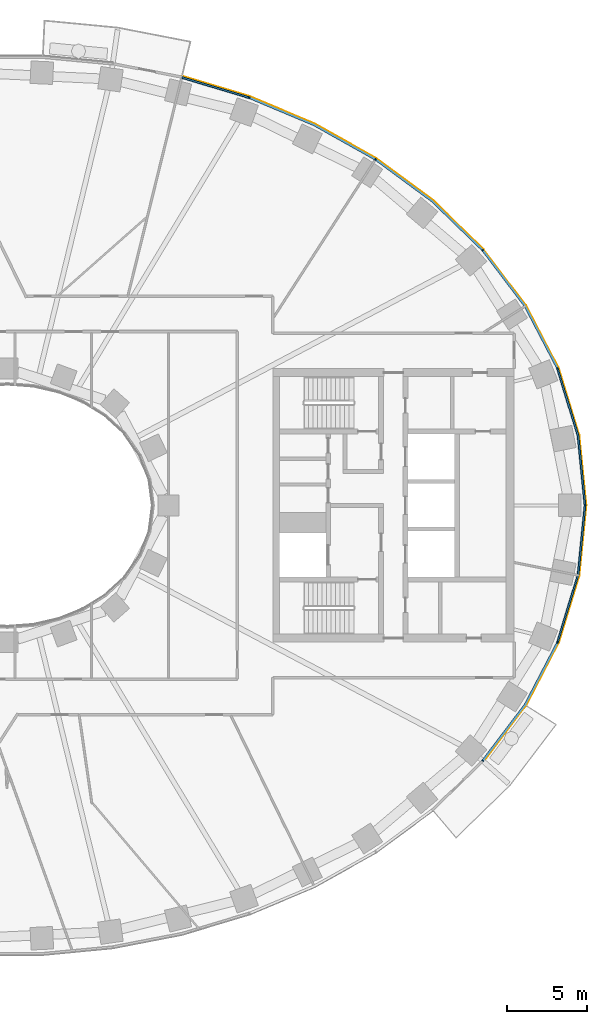
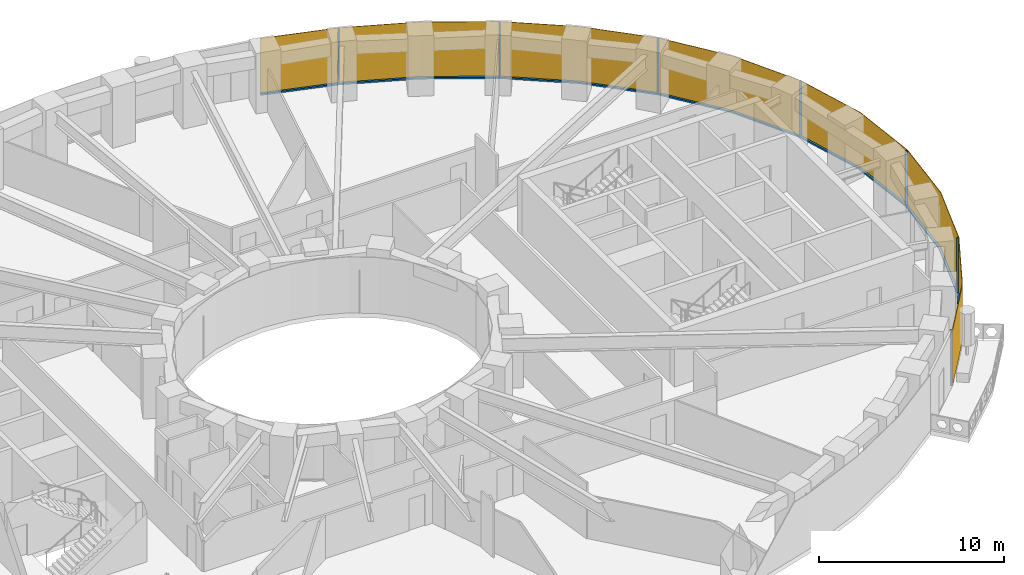
# One storey, part 13 of 16: 14 members, 1 curtain wall.
"""IFC4 building model written with IfcOpenShell, lengths in metres."""

from ifc_helpers import new_model, si_unit, direction, frame, origin, origin_2d, place, context, subcontext, project, spatial, polyline, rectangle, outline, extrude, material, layer, layer_set, material_profile, profile_set, type_object, element, aggregate, save


model = new_model("IFC4")

# Units and contexts
model_context = context("Model", 3, precision=1e-05, world=origin(), true_north=direction((0.0, 1.0)))
body_context = subcontext(model_context, "Body", "Model", "MODEL_VIEW")
ifc_project = project(units=[si_unit("LENGTHUNIT", "METRE"), si_unit("AREAUNIT", "SQUARE_METRE"), si_unit("VOLUMEUNIT", "CUBIC_METRE"), si_unit("PLANEANGLEUNIT", "RADIAN"), si_unit("MASSUNIT", "GRAM", prefix="KILO")], contexts=[model_context])

# Member
ifc_material_1 = material(Name="Aluminium 6063-T6 black anodised", Category="aluminium")
ifc_material_profile = material_profile(ifc_material_1, rectangle(XDim=0.1201171875, YDim=0.06005859375, at=origin_2d()), Name="120x60")
ifc_profile_set = profile_set([ifc_material_profile], Name="Aluminium 6063-T6 black anodised")
member_type_1 = type_object("IfcMemberType", Name="ENV-MULLION-A-120", PredefinedType="MULLION", material=ifc_profile_set)
site_placement = place(None, origin())
building_placement = place(site_placement, origin())
storey_placement = place(building_placement, frame((0.0, 0.0, 58.5)))
member_1_placement = place(storey_placement, frame((29.53857421875, -15.8671875, 0.0), z_axis=(0.0, 0.0, 1.0), x_axis=(-0.749047221705, 0.662516610853, 0.0)))
member_1 = element("IfcMember", 1, at=member_1_placement, type_object=member_type_1, Name="Mullion A radial 43", PredefinedType="MULLION", context=body_context, shape_type="SweptSolid", body=[
    extrude(rectangle(XDim=0.1201171875, YDim=0.06005859375, at=origin_2d()), origin(), (0.0, 0.0, 1.0), 3.699951171875),
])

member_2_placement = place(storey_placement, frame((34.19580078125, -8.513916015625, 0.0), z_axis=(0.0, 0.0, 1.0), x_axis=(-0.92546738067, 0.378827305398, 0.0)))
member_2 = element("IfcMember", 2, at=member_2_placement, type_object=member_type_1, Name="Mullion A radial 45", PredefinedType="MULLION", context=body_context, shape_type="SweptSolid", body=[
    extrude(rectangle(XDim=0.1201171875, YDim=0.06005859375, at=origin_2d()), origin(), (0.0, 0.0, 1.0), 3.699951171875),
])

member_3_placement = place(storey_placement, frame((35.907958984375, 0.0, 0.0), z_axis=(0.0, 0.0, 1.0), x_axis=(-1.0, 0.0, 0.0)))
member_3 = element("IfcMember", 3, at=member_3_placement, type_object=member_type_1, Name="Mullion A radial 01", PredefinedType="MULLION", context=body_context, shape_type="SweptSolid", body=[
    extrude(rectangle(XDim=0.1201171875, YDim=0.06005859375, at=origin_2d()), origin(), (0.0, 0.0, 1.0), 3.699951171875),
])

member_4_placement = place(storey_placement, frame((34.19580078125, 8.513916015625, 0.0), z_axis=(0.0, 0.0, 1.0), x_axis=(-0.92546738067, -0.378827305398, 0.0)))
member_4 = element("IfcMember", 4, at=member_4_placement, type_object=member_type_1, Name="Mullion A radial 03", PredefinedType="MULLION", context=body_context, shape_type="SweptSolid", body=[
    extrude(rectangle(XDim=0.1201171875, YDim=0.06005859375, at=origin_2d()), origin(), (0.0, 0.0, 1.0), 3.699951171875),
])

member_5_placement = place(storey_placement, frame((29.53857421875, 15.8671875, 0.0), z_axis=(0.0, 0.0, 1.0), x_axis=(-0.749047221705, -0.662516610853, 0.0)))
member_5 = element("IfcMember", 5, at=member_5_placement, type_object=member_type_1, Name="Mullion A radial 05", PredefinedType="MULLION", context=body_context, shape_type="SweptSolid", body=[
    extrude(rectangle(XDim=0.1201171875, YDim=0.06005859375, at=origin_2d()), origin(), (0.0, 0.0, 1.0), 3.699951171875),
])

member_6_placement = place(storey_placement, frame((22.882568359375, 21.506591796875, 0.0), z_axis=(0.0, 0.0, 1.0), x_axis=(-0.542279153225, -0.840198381323, 0.0)))
member_6 = element("IfcMember", 6, at=member_6_placement, type_object=member_type_1, Name="Mullion A radial 07", PredefinedType="MULLION", context=body_context, shape_type="SweptSolid", body=[
    extrude(rectangle(XDim=0.1201171875, YDim=0.06005859375, at=origin_2d()), origin(), (0.0, 0.0, 1.0), 3.699951171875),
])

member_7_placement = place(storey_placement, frame((15.0341796875, 25.34375, 0.0), z_axis=(0.0, 0.0, 1.0), x_axis=(-0.338379256581, -0.941009818608, 0.0)))
member_7 = element("IfcMember", 7, at=member_7_placement, type_object=member_type_1, Name="Mullion A radial 09", PredefinedType="MULLION", context=body_context, shape_type="SweptSolid", body=[
    extrude(rectangle(XDim=0.1201171875, YDim=0.06005859375, at=origin_2d()), origin(), (0.0, 0.0, 1.0), 3.699951171875),
])

ifc_material_2 = material(Name="Aluminium 6063-T6 black anodised", Category="aluminium")
member_type_2 = type_object("IfcMemberType", Name="ENV-TRANSOM-A", PredefinedType="USERDEFINED", material=ifc_material_2)
member_8_placement = place(storey_placement, origin())
member_8 = element("IfcMember", 8, at=member_8_placement, type_object=member_type_2, Name="Transom A radial 43-45", ObjectType="TRANSOM", PredefinedType="USERDEFINED", context=body_context, shape_type="SweptSolid", body=[
    extrude(outline(polyline([(29.6005859375, -15.884521484375), (32.22802734375, -12.41748046875), (34.23828125, -8.5615234375), (34.126708984375, -8.515869140625), (32.126220703125, -12.35302734375), (29.51025390625, -15.8046875), (29.6005859375, -15.884521484375)])), origin(), (0.0, 0.0, 1.0), 0.10009765625),
])

member_9_placement = place(storey_placement, origin())
member_9 = element("IfcMember", 9, at=member_9_placement, type_object=member_type_2, Name="Transom A radial 45-01", ObjectType="TRANSOM", PredefinedType="USERDEFINED", context=body_context, shape_type="SweptSolid", body=[
    extrude(outline(polyline([(34.259521484375, -8.509765625), (35.529541015625, -4.352294921875), (35.965087890625, -0.02783203125), (35.844482421875, -0.02783203125), (35.411376953125, -4.32861328125), (34.14794921875, -8.464111328125), (34.259521484375, -8.509765625)])), origin(), (0.0, 0.0, 1.0), 0.10009765625),
])

member_10_placement = place(storey_placement, origin())
member_10 = element("IfcMember", 10, at=member_10_placement, type_object=member_type_2, Name="Transom A radial 01-03", ObjectType="TRANSOM", PredefinedType="USERDEFINED", context=body_context, shape_type="SweptSolid", body=[
    extrude(outline(polyline([(35.965087890625, 0.02783203125), (35.529541015625, 4.352294921875), (34.259521484375, 8.509765625), (34.14794921875, 8.464111328125), (35.411376953125, 4.32861328125), (35.844482421875, 0.02783203125), (35.965087890625, 0.02783203125)])), origin(), (0.0, 0.0, 1.0), 0.10009765625),
])

member_11_placement = place(storey_placement, origin())
member_11 = element("IfcMember", 11, at=member_11_placement, type_object=member_type_2, Name="Transom A radial 03-05", ObjectType="TRANSOM", PredefinedType="USERDEFINED", context=body_context, shape_type="SweptSolid", body=[
    extrude(outline(polyline([(34.23828125, 8.5615234375), (32.22802734375, 12.41748046875), (29.6005859375, 15.884521484375), (29.51025390625, 15.8046875), (32.126220703125, 12.35302734375), (34.126708984375, 8.515869140625), (34.23828125, 8.5615234375)])), origin(), (0.0, 0.0, 1.0), 0.10009765625),
])

member_12_placement = place(storey_placement, origin())
member_12 = element("IfcMember", 12, at=member_12_placement, type_object=member_type_2, Name="Transom A radial 05-07", ObjectType="TRANSOM", PredefinedType="USERDEFINED", context=body_context, shape_type="SweptSolid", body=[
    extrude(outline(polyline([(29.5634765625, 15.926513671875), (26.4423828125, 18.958740234375), (22.937744140625, 21.540283203125), (22.87255859375, 21.439208984375), (26.364501953125, 18.866943359375), (29.473388671875, 15.8466796875), (29.5634765625, 15.926513671875)])), origin(), (0.0, 0.0, 1.0), 0.10009765625),
])

member_13_placement = place(storey_placement, origin())
member_13 = element("IfcMember", 13, at=member_13_placement, type_object=member_type_2, Name="Transom A radial 07-09", ObjectType="TRANSOM", PredefinedType="USERDEFINED", context=body_context, shape_type="SweptSolid", body=[
    extrude(outline(polyline([(22.890625, 21.570556640625), (19.093994140625, 23.701416015625), (15.080322265625, 25.389404296875), (15.03955078125, 25.276123046875), (19.041259765625, 23.593505859375), (22.825439453125, 21.469482421875), (22.890625, 21.570556640625)])), origin(), (0.0, 0.0, 1.0), 0.10009765625),
])

member_14_placement = place(storey_placement, origin())
member_14 = element("IfcMember", 14, at=member_14_placement, type_object=member_type_2, Name="Transom A radial 09-10", ObjectType="TRANSOM", PredefinedType="USERDEFINED", context=body_context, shape_type="SweptSolid", body=[
    extrude(outline(polyline([(15.027587890625, 25.408203125), (10.876708984375, 26.657470703125), (10.847900390625, 26.540771484375), (14.987060546875, 25.295166015625), (15.027587890625, 25.408203125)])), origin(), (0.0, 0.0, 1.0), 0.10009765625),
])

# Site, building, storey
site = spatial("IfcSite", under=ifc_project, at=site_placement, CompositionType="ELEMENT")
building = spatial("IfcBuilding", under=site, at=building_placement, Name="Noorbagh Ring Tower", CompositionType="ELEMENT")
storey = spatial("IfcBuildingStorey", under=building, at=storey_placement, Name="L12", CompositionType="ELEMENT", Elevation=58.5)

# Curtain wall
ifc_material_3 = material(Name="Glass dark tinted laminated", Category="glass")
ifc_layer = layer(ifc_material_3, 0.031982421875)
ifc_layer_set = layer_set([ifc_layer], Name="Glass dark tinted laminated")
curtain_wall_type = type_object("IfcCurtainWallType", Name="ENV-CW-A", PredefinedType="NOTDEFINED", material=ifc_layer_set)
curtain_wall_placement = place(storey_placement, origin())
curtain_wall = element("IfcCurtainWall", 15, at=curtain_wall_placement, inside=storey, type_object=curtain_wall_type, Name="Curtain wall A R43", PredefinedType="NOTDEFINED", context=body_context, shape_type="SweptSolid", body=[
    extrude(outline(polyline([(29.61962890625, -15.912109375), (32.255126953125, -12.434814453125), (34.281005859375, -8.548828125), (35.561279296875, -4.358642578125), (36.0, 0.0), (35.561279296875, 4.358642578125), (34.281005859375, 8.548828125), (32.255126953125, 12.434814453125), (29.607666015625, 15.927978515625), (26.463134765625, 18.9833984375), (22.9326171875, 21.583740234375), (19.108154296875, 23.730224609375), (15.065185546875, 25.430419921875), (10.884521484375, 26.6884765625), (10.876708984375, 26.657470703125), (15.054443359375, 25.400146484375), (19.093994140625, 23.701416015625), (22.9150390625, 21.556884765625), (26.4423828125, 18.958740234375), (29.58349609375, 15.906982421875), (32.22802734375, 12.41748046875), (34.251220703125, 8.53662109375), (35.529541015625, 4.352294921875), (35.9677734375, 0.0), (35.529541015625, -4.352294921875), (34.251220703125, -8.53662109375), (32.22802734375, -12.41748046875), (29.595703125, -15.890869140625), (29.61962890625, -15.912109375)])), origin(), (0.0, 0.0, 1.0), 3.699951171875),
])

aggregate(curtain_wall, [member_1, member_2, member_3, member_4, member_5, member_6, member_7, member_8, member_9, member_10, member_11, member_12, member_13, member_14])

save(model, "model.ifc")
